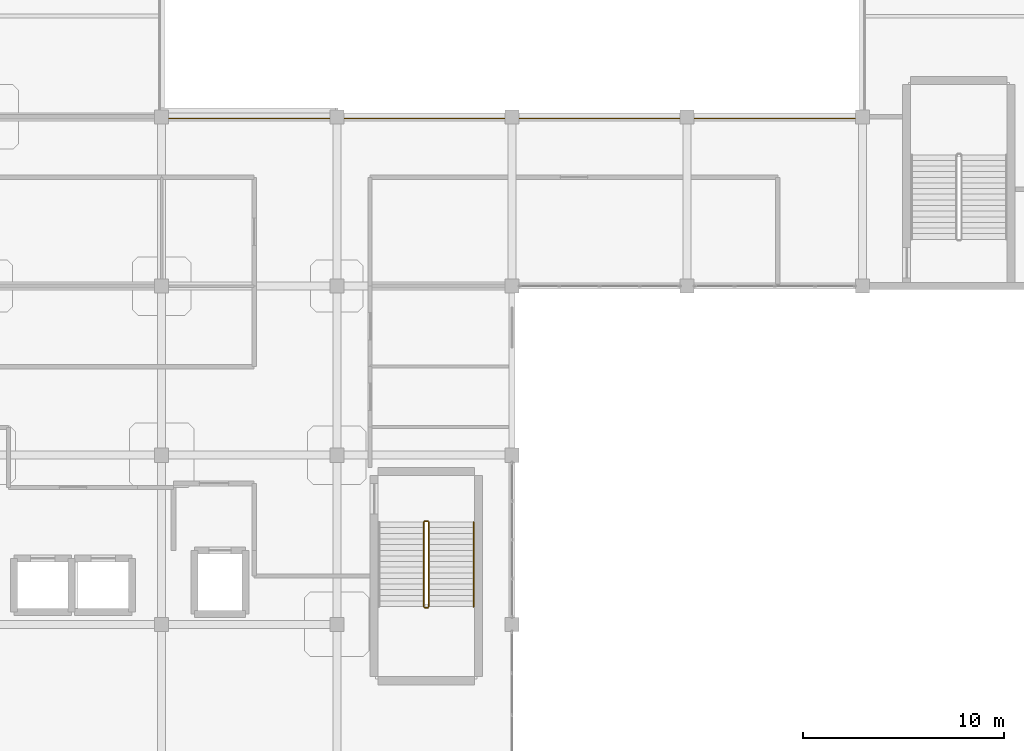
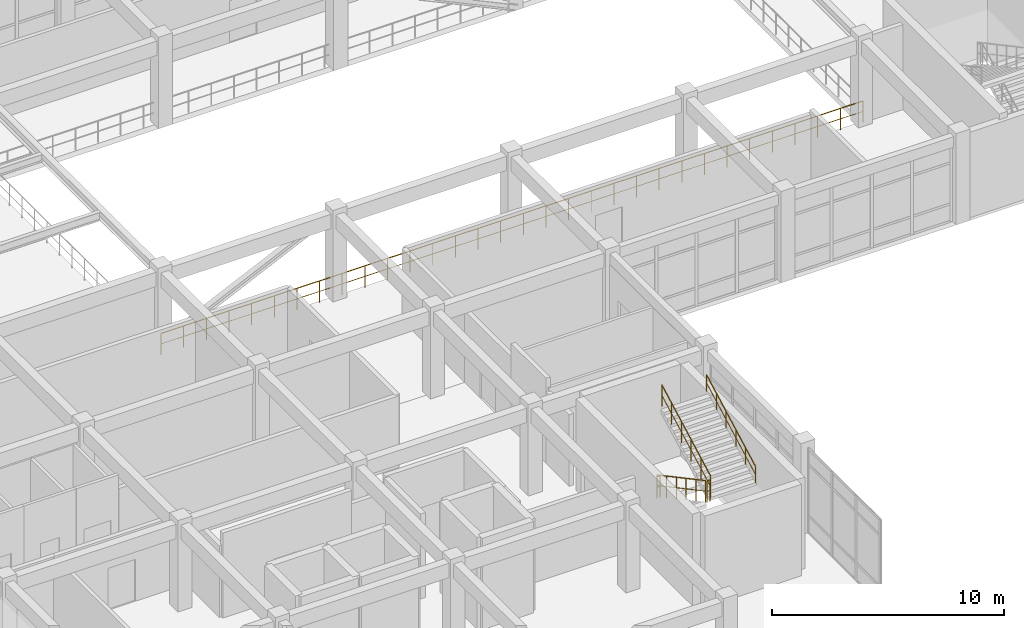
# One storey, part 70 of 76: 6 railings.
"""IFC4 building model written with IfcOpenShell, lengths in metres."""

from ifc_helpers import new_model, si_unit, derived_unit, direction, frame, origin, origin_2d, place, context, subcontext, project, spatial, circle, extrude, material, type_object, element, save


model = new_model("IFC4")

# Units and contexts
model_context = context("Model", 3, precision=1e-05, world=origin(), true_north=direction((0.0, 1.0)))
body_context = subcontext(model_context, "Body", "Model", "MODEL_VIEW")
ifc_project = project(units=[si_unit("LENGTHUNIT", "METRE"), si_unit("AREAUNIT", "SQUARE_METRE"), si_unit("VOLUMEUNIT", "CUBIC_METRE"), si_unit("PLANEANGLEUNIT", "RADIAN"), si_unit("MASSUNIT", "GRAM", prefix="KILO"), derived_unit("THERMALTRANSMITTANCEUNIT", [(si_unit("MASSUNIT", "GRAM", prefix="KILO"), 1), (si_unit("TIMEUNIT", "SECOND"), -3), (si_unit("THERMODYNAMICTEMPERATUREUNIT", "KELVIN"), -1)])], contexts=[model_context])

# Site, building, storey
site_placement = place(None, origin())
site = spatial("IfcSite", under=ifc_project, at=site_placement, CompositionType="ELEMENT")
building_placement = place(site_placement, origin())
building = spatial("IfcBuilding", under=site, at=building_placement, Name="Qinzheling Arcade Emporium", CompositionType="ELEMENT")
storey_placement = place(building_placement, frame((0.0, 0.0, 26.699951171875)))
storey = spatial("IfcBuildingStorey", under=building, at=storey_placement, Name="L06", CompositionType="ELEMENT", Elevation=26.699951171875)

# Railings
ifc_material_1 = material(Name="Galvanised powder-coated tubular steel", Category="steel")
railing_type_1 = type_object("IfcRailingType", Name="Painted Steel Stairwell Guard Railing 1150", PredefinedType="GUARDRAIL", material=ifc_material_1)
railing_1_placement = place(storey_placement, frame((65.219970703125, 30.280029296875, 0.150146484375)))
element("IfcRailing", 1, at=railing_1_placement, inside=storey, type_object=railing_type_1, Name="L06 ST01 stair guard 1", PredefinedType="GUARDRAIL", context=body_context, shape_type="SweptSolid", body=[
    extrude(circle(Radius=0.02392578125, at=origin_2d()), frame((0.0, 0.0, 1.1259765625), z_axis=(0.0, -0.881477684796, 0.472225678258), x_axis=(1.0, 0.0, 0.0)), (0.0, 0.0, 1.0), 4.7646484375),
    extrude(circle(Radius=0.01611328125, at=origin_2d()), frame((0.0, 0.0, 0.574951171875), z_axis=(0.0, -0.881477684796, 0.472225678258), x_axis=(1.0, 0.0, 0.0)), (0.0, 0.0, 1.0), 4.7646484375),
    extrude(circle(Radius=0.02099609375, at=origin_2d()), origin(), (0.0, 0.0, 1.0), 1.101806640625),
    extrude(circle(Radius=0.02099609375, at=origin_2d()), frame((0.0, -0.840087890625, 0.449951171875)), (0.0, 0.0, 1.0), 1.101806640625),
    extrude(circle(Radius=0.02099609375, at=origin_2d()), frame((0.0, -1.679931640625, 0.89990234375)), (0.0, 0.0, 1.0), 1.101806640625),
    extrude(circle(Radius=0.02099609375, at=origin_2d()), frame((0.0, -2.52001953125, 1.35009765625)), (0.0, 0.0, 1.0), 1.101806640625),
    extrude(circle(Radius=0.02099609375, at=origin_2d()), frame((0.0, -3.35986328125, 1.800048828125)), (0.0, 0.0, 1.0), 1.101806640625),
    extrude(circle(Radius=0.02099609375, at=origin_2d()), frame((0.0, -4.199951171875, 2.25)), (0.0, 0.0, 1.0), 1.101806640625),
])
railing_2_placement = place(storey_placement, frame((65.27001953125, 26.030029296875, 2.400146484375)))
element("IfcRailing", 2, at=railing_2_placement, inside=storey, type_object=railing_type_1, Name="L06 ST01 stair guard 2", PredefinedType="GUARDRAIL", context=body_context, shape_type="SweptSolid", body=[
    extrude(circle(Radius=0.02392578125, at=origin_2d()), frame((0.0, 0.0, 1.1259765625), z_axis=(1.0, 0.0, 0.0), x_axis=(0.0, 1.0, 0.0)), (0.0, 0.0, 1.0), 0.14990234375),
    extrude(circle(Radius=0.01611328125, at=origin_2d()), frame((0.0, 0.0, 0.574951171875), z_axis=(1.0, 0.0, 0.0), x_axis=(0.0, 1.0, 0.0)), (0.0, 0.0, 1.0), 0.14990234375),
    extrude(circle(Radius=0.02099609375, at=origin_2d()), origin(), (0.0, 0.0, 1.0), 1.101806640625),
    extrude(circle(Radius=0.02099609375, at=origin_2d()), frame((0.14990234375, 0.0, 0.0)), (0.0, 0.0, 1.0), 1.101806640625),
])
railing_3_placement = place(storey_placement, frame((65.469970703125, 26.080078125, 2.550048828125)))
element("IfcRailing", 3, at=railing_3_placement, inside=storey, type_object=railing_type_1, Name="L06 ST01 stair guard 3", PredefinedType="GUARDRAIL", context=body_context, shape_type="SweptSolid", body=[
    extrude(circle(Radius=0.02392578125, at=origin_2d()), frame((0.0, 0.0, 1.1259765625), z_axis=(0.0, 0.881477684796, 0.472225678258), x_axis=(-1.0, 0.0, 0.0)), (0.0, 0.0, 1.0), 4.7646484375),
    extrude(circle(Radius=0.01611328125, at=origin_2d()), frame((0.0, 0.0, 0.574951171875), z_axis=(0.0, 0.881477684796, 0.472225678258), x_axis=(-1.0, 0.0, 0.0)), (0.0, 0.0, 1.0), 4.7646484375),
    extrude(circle(Radius=0.02099609375, at=origin_2d()), origin(), (0.0, 0.0, 1.0), 1.101806640625),
    extrude(circle(Radius=0.02099609375, at=origin_2d()), frame((0.0, 0.840087890625, 0.449951171875)), (0.0, 0.0, 1.0), 1.101806640625),
    extrude(circle(Radius=0.02099609375, at=origin_2d()), frame((0.0, 1.679931640625, 0.89990234375)), (0.0, 0.0, 1.0), 1.101806640625),
    extrude(circle(Radius=0.02099609375, at=origin_2d()), frame((0.0, 2.52001953125, 1.35009765625)), (0.0, 0.0, 1.0), 1.101806640625),
    extrude(circle(Radius=0.02099609375, at=origin_2d()), frame((0.0, 3.35986328125, 1.800048828125)), (0.0, 0.0, 1.0), 1.101806640625),
    extrude(circle(Radius=0.02099609375, at=origin_2d()), frame((0.0, 4.199951171875, 2.25)), (0.0, 0.0, 1.0), 1.101806640625),
])
railing_4_placement = place(storey_placement, frame((65.27001953125, 30.330078125, 0.0)))
element("IfcRailing", 4, at=railing_4_placement, inside=storey, type_object=railing_type_1, Name="L06 ST01 stair guard 4", PredefinedType="GUARDRAIL", context=body_context, shape_type="SweptSolid", body=[
    extrude(circle(Radius=0.02392578125, at=origin_2d()), frame((0.0, 0.0, 1.1259765625), z_axis=(1.0, 0.0, 0.0), x_axis=(0.0, 1.0, 0.0)), (0.0, 0.0, 1.0), 0.14990234375),
    extrude(circle(Radius=0.01611328125, at=origin_2d()), frame((0.0, 0.0, 0.574951171875), z_axis=(1.0, 0.0, 0.0), x_axis=(0.0, 1.0, 0.0)), (0.0, 0.0, 1.0), 0.14990234375),
    extrude(circle(Radius=0.02099609375, at=origin_2d()), origin(), (0.0, 0.0, 1.0), 1.101806640625),
    extrude(circle(Radius=0.02099609375, at=origin_2d()), frame((0.14990234375, 0.0, 0.0)), (0.0, 0.0, 1.0), 1.101806640625),
])
railing_5_placement = place(storey_placement, frame((52.169921875, 50.320068359375, 0.0)))
element("IfcRailing", 5, at=railing_5_placement, inside=storey, type_object=railing_type_1, Name="Atrium Void Guard L06 S", PredefinedType="GUARDRAIL", context=body_context, shape_type="SweptSolid", body=[
    extrude(circle(Radius=0.02392578125, at=origin_2d()), frame((0.0, 0.0, 1.1259765625), z_axis=(1.0, 0.0, 0.0), x_axis=(0.0, 1.0, 0.0)), (0.0, 0.0, 1.0), 34.860107421875),
    extrude(circle(Radius=0.01611328125, at=origin_2d()), frame((0.0, 0.0, 0.574951171875), z_axis=(1.0, 0.0, 0.0), x_axis=(0.0, 1.0, 0.0)), (0.0, 0.0, 1.0), 34.860107421875),
    extrude(circle(Radius=0.02099609375, at=origin_2d()), origin(), (0.0, 0.0, 1.0), 1.101806640625),
    extrude(circle(Radius=0.02099609375, at=origin_2d()), frame((1.12451171875, 0.0, 0.0)), (0.0, 0.0, 1.0), 1.101806640625),
    extrude(circle(Radius=0.02099609375, at=origin_2d()), frame((2.2490234375, 0.0, 0.0)), (0.0, 0.0, 1.0), 1.101806640625),
    extrude(circle(Radius=0.02099609375, at=origin_2d()), frame((3.37353515625, 0.0, 0.0)), (0.0, 0.0, 1.0), 1.101806640625),
    extrude(circle(Radius=0.02099609375, at=origin_2d()), frame((4.498046875, 0.0, 0.0)), (0.0, 0.0, 1.0), 1.101806640625),
    extrude(circle(Radius=0.02099609375, at=origin_2d()), frame((5.62255859375, 0.0, 0.0)), (0.0, 0.0, 1.0), 1.101806640625),
    extrude(circle(Radius=0.02099609375, at=origin_2d()), frame((6.7470703125, 0.0, 0.0)), (0.0, 0.0, 1.0), 1.101806640625),
    extrude(circle(Radius=0.02099609375, at=origin_2d()), frame((7.87158203125, 0.0, 0.0)), (0.0, 0.0, 1.0), 1.101806640625),
    extrude(circle(Radius=0.02099609375, at=origin_2d()), frame((8.99609375, 0.0, 0.0)), (0.0, 0.0, 1.0), 1.101806640625),
    extrude(circle(Radius=0.02099609375, at=origin_2d()), frame((10.12060546875, 0.0, 0.0)), (0.0, 0.0, 1.0), 1.101806640625),
    extrude(circle(Radius=0.02099609375, at=origin_2d()), frame((11.2451171875, 0.0, 0.0)), (0.0, 0.0, 1.0), 1.101806640625),
    extrude(circle(Radius=0.02099609375, at=origin_2d()), frame((12.36962890625, 0.0, 0.0)), (0.0, 0.0, 1.0), 1.101806640625),
    extrude(circle(Radius=0.02099609375, at=origin_2d()), frame((13.494140625, 0.0, 0.0)), (0.0, 0.0, 1.0), 1.101806640625),
    extrude(circle(Radius=0.02099609375, at=origin_2d()), frame((14.61865234375, 0.0, 0.0)), (0.0, 0.0, 1.0), 1.101806640625),
    extrude(circle(Radius=0.02099609375, at=origin_2d()), frame((15.7431640625, 0.0, 0.0)), (0.0, 0.0, 1.0), 1.101806640625),
    extrude(circle(Radius=0.02099609375, at=origin_2d()), frame((16.86767578125, 0.0, 0.0)), (0.0, 0.0, 1.0), 1.101806640625),
    extrude(circle(Radius=0.02099609375, at=origin_2d()), frame((17.992431640625, 0.0, 0.0)), (0.0, 0.0, 1.0), 1.101806640625),
    extrude(circle(Radius=0.02099609375, at=origin_2d()), frame((19.116943359375, 0.0, 0.0)), (0.0, 0.0, 1.0), 1.101806640625),
    extrude(circle(Radius=0.02099609375, at=origin_2d()), frame((20.241455078125, 0.0, 0.0)), (0.0, 0.0, 1.0), 1.101806640625),
    extrude(circle(Radius=0.02099609375, at=origin_2d()), frame((21.365966796875, 0.0, 0.0)), (0.0, 0.0, 1.0), 1.101806640625),
    extrude(circle(Radius=0.02099609375, at=origin_2d()), frame((22.490478515625, 0.0, 0.0)), (0.0, 0.0, 1.0), 1.101806640625),
    extrude(circle(Radius=0.02099609375, at=origin_2d()), frame((23.614990234375, 0.0, 0.0)), (0.0, 0.0, 1.0), 1.101806640625),
    extrude(circle(Radius=0.02099609375, at=origin_2d()), frame((24.739501953125, 0.0, 0.0)), (0.0, 0.0, 1.0), 1.101806640625),
    extrude(circle(Radius=0.02099609375, at=origin_2d()), frame((25.864013671875, 0.0, 0.0)), (0.0, 0.0, 1.0), 1.101806640625),
    extrude(circle(Radius=0.02099609375, at=origin_2d()), frame((26.988525390625, 0.0, 0.0)), (0.0, 0.0, 1.0), 1.101806640625),
    extrude(circle(Radius=0.02099609375, at=origin_2d()), frame((28.113037109375, 0.0, 0.0)), (0.0, 0.0, 1.0), 1.101806640625),
    extrude(circle(Radius=0.02099609375, at=origin_2d()), frame((29.237548828125, 0.0, 0.0)), (0.0, 0.0, 1.0), 1.101806640625),
    extrude(circle(Radius=0.02099609375, at=origin_2d()), frame((30.362060546875, 0.0, 0.0)), (0.0, 0.0, 1.0), 1.101806640625),
    extrude(circle(Radius=0.02099609375, at=origin_2d()), frame((31.486572265625, 0.0, 0.0)), (0.0, 0.0, 1.0), 1.101806640625),
    extrude(circle(Radius=0.02099609375, at=origin_2d()), frame((32.611083984375, 0.0, 0.0)), (0.0, 0.0, 1.0), 1.101806640625),
    extrude(circle(Radius=0.02099609375, at=origin_2d()), frame((33.735595703125, 0.0, 0.0)), (0.0, 0.0, 1.0), 1.101806640625),
    extrude(circle(Radius=0.02099609375, at=origin_2d()), frame((34.860107421875, 0.0, 0.0)), (0.0, 0.0, 1.0), 1.101806640625),
])
ifc_material_2 = material(Name="Brushed stainless steel 304", Category="steel")
railing_type_2 = type_object("IfcRailingType", Name="Stainless Steel Wall Handrail 900", PredefinedType="HANDRAIL", material=ifc_material_2)
railing_6_placement = place(storey_placement, frame((67.68994140625, 26.080078125, 2.550048828125)))
element("IfcRailing", 6, at=railing_6_placement, inside=storey, type_object=railing_type_2, Name="L06 ST01 stair handrail 2", PredefinedType="HANDRAIL", context=body_context, shape_type="SweptSolid", body=[
    extrude(circle(Radius=0.02392578125, at=origin_2d()), frame((0.0, 0.0, 0.8759765625), z_axis=(0.0, 0.881477684796, 0.472225678258), x_axis=(-1.0, 0.0, 0.0)), (0.0, 0.0, 1.0), 4.7646484375),
    extrude(circle(Radius=0.01611328125, at=origin_2d()), frame((0.0, 0.0, 0.449951171875), z_axis=(0.0, 0.881477684796, 0.472225678258), x_axis=(-1.0, 0.0, 0.0)), (0.0, 0.0, 1.0), 4.7646484375),
    extrude(circle(Radius=0.02099609375, at=origin_2d()), origin(), (0.0, 0.0, 1.0), 0.851806640625),
    extrude(circle(Radius=0.02099609375, at=origin_2d()), frame((0.0, 0.840087890625, 0.449951171875)), (0.0, 0.0, 1.0), 0.851806640625),
    extrude(circle(Radius=0.02099609375, at=origin_2d()), frame((0.0, 1.679931640625, 0.89990234375)), (0.0, 0.0, 1.0), 0.851806640625),
    extrude(circle(Radius=0.02099609375, at=origin_2d()), frame((0.0, 2.52001953125, 1.35009765625)), (0.0, 0.0, 1.0), 0.851806640625),
    extrude(circle(Radius=0.02099609375, at=origin_2d()), frame((0.0, 3.35986328125, 1.800048828125)), (0.0, 0.0, 1.0), 0.851806640625),
    extrude(circle(Radius=0.02099609375, at=origin_2d()), frame((0.0, 4.199951171875, 2.25)), (0.0, 0.0, 1.0), 0.851806640625),
])

save(model, "model.ifc")
